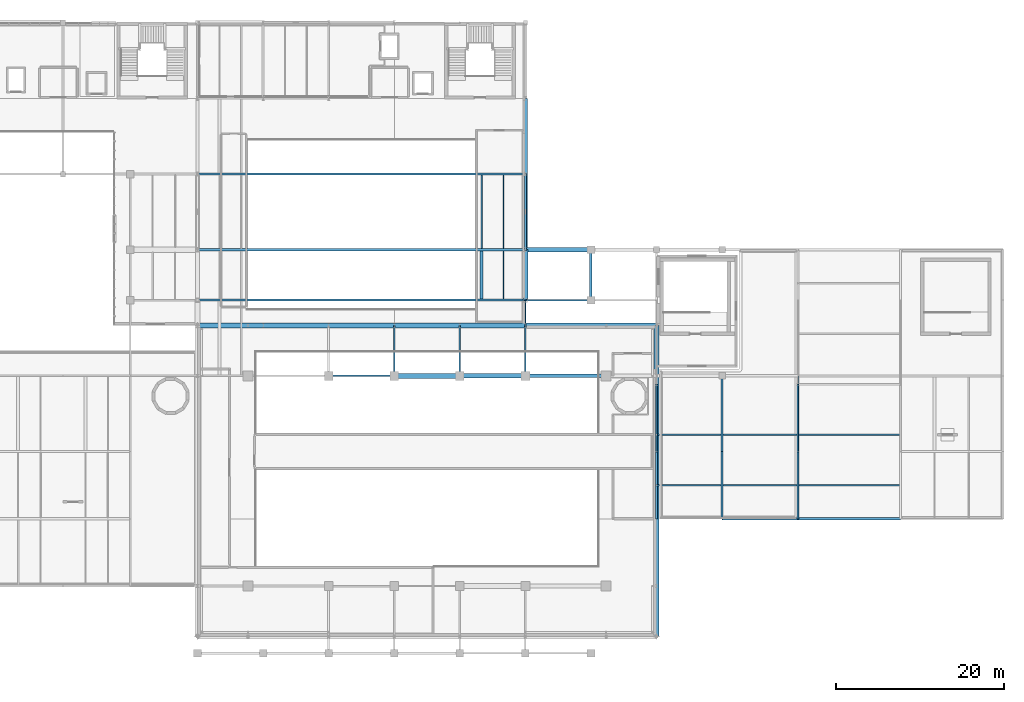
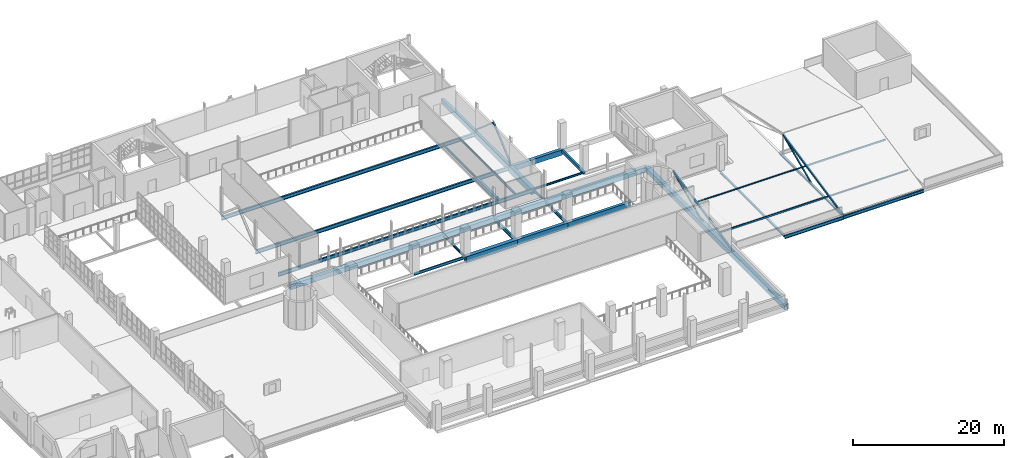
# One storey, part 35 of 85: 25 beams, 14 members.
"""IFC4 building model written with IfcOpenShell, lengths in metres."""

from ifc_helpers import new_model, si_unit, derived_unit, direction, frame, origin, origin_2d, place, context, subcontext, project, spatial, rectangle, hollow_rectangle, i_section, extrude, material, material_profile, profile_set, type_object, element, save


model = new_model("IFC4")

# Units and contexts
model_context = context("Model", 3, precision=1e-05, world=origin(), true_north=direction((0.0, 1.0)))
body_context = subcontext(model_context, "Body", "Model", "MODEL_VIEW")
ifc_project = project(units=[si_unit("LENGTHUNIT", "METRE"), si_unit("AREAUNIT", "SQUARE_METRE"), si_unit("VOLUMEUNIT", "CUBIC_METRE"), si_unit("PLANEANGLEUNIT", "RADIAN"), si_unit("MASSUNIT", "GRAM", prefix="KILO"), derived_unit("THERMALTRANSMITTANCEUNIT", [(si_unit("POWERUNIT", "WATT"), 1), (si_unit("LENGTHUNIT", "METRE"), -2), (si_unit("THERMODYNAMICTEMPERATUREUNIT", "KELVIN"), -1)])], contexts=[model_context])

# Site, building, storey
site_placement = place(None, origin())
site = spatial("IfcSite", under=ifc_project, at=site_placement, CompositionType="ELEMENT")
building_placement = place(site_placement, origin())
building = spatial("IfcBuilding", under=site, at=building_placement, Name="Nallur Shell Playhouse", CompositionType="ELEMENT")
storey_placement = place(building_placement, frame((0.0, 0.0, 19.800048828125)))
storey = spatial("IfcBuildingStorey", under=building, at=storey_placement, Name="L05", CompositionType="ELEMENT", Elevation=19.800048828125)

# Beams
ifc_material_1 = material(Name="Steel E250", Category="steel")
ifc_material_profile_1 = material_profile(ifc_material_1, i_section(OverallWidth=0.139892578125, OverallDepth=0.300048828125, WebThickness=0.0078125, FlangeThickness=0.01318359375, FilletRadius=0.013916015625, at=origin_2d()), Name="ISMB 300")
ifc_profile_set_1 = profile_set([ifc_material_profile_1], Name="Steel E250")
beam_type_1 = type_object("IfcBeamType", Name="BM-JST-ISMB300", PredefinedType="JOIST", material=ifc_profile_set_1)
beam_1_placement = place(storey_placement, frame((100.39990234375, 56.123046875, -0.400146484375), z_axis=(0.0, 1.0, 0.0), x_axis=(-1.0, 0.0, 0.0)))
element("IfcBeam", 1, at=beam_1_placement, inside=storey, type_object=beam_type_1, Name="L05 secondary joist 12-G-1113", PredefinedType="JOIST", context=body_context, shape_type="SweptSolid", body=[
    extrude(i_section(OverallWidth=0.139892578125, OverallDepth=0.300048828125, WebThickness=0.0078125, FlangeThickness=0.01318359375, FilletRadius=0.013916015625, at=origin_2d()), origin(), (0.0, 0.0, 1.0), 8.75390625),
])
ifc_material_profile_2 = material_profile(ifc_material_1, i_section(OverallWidth=0.139892578125, OverallDepth=0.35009765625, WebThickness=0.008056640625, FlangeThickness=0.01416015625, FilletRadius=0.013916015625, at=origin_2d()), Name="ISMB 350")
ifc_profile_set_2 = profile_set([ifc_material_profile_2], Name="Steel E250")
beam_type_2 = type_object("IfcBeamType", Name="BM-JST-ISMB350", PredefinedType="JOIST", material=ifc_profile_set_2)
beam_2_placement = place(storey_placement, frame((97.800048828125, 56.123046875, -0.425048828125), z_axis=(0.0, 1.0, 0.0), x_axis=(-1.0, 0.0, 0.0)))
element("IfcBeam", 2, at=beam_2_placement, inside=storey, type_object=beam_type_2, Name="L05 secondary joist 12-G-1112", PredefinedType="JOIST", context=body_context, shape_type="SweptSolid", body=[
    extrude(i_section(OverallWidth=0.139892578125, OverallDepth=0.35009765625, WebThickness=0.008056640625, FlangeThickness=0.01416015625, FilletRadius=0.013916015625, at=origin_2d()), origin(), (0.0, 0.0, 1.0), 8.75390625),
])
ifc_material_profile_3 = material_profile(ifc_material_1, i_section(OverallWidth=0.139892578125, OverallDepth=0.39990234375, WebThickness=0.0087890625, FlangeThickness=0.01611328125, FilletRadius=0.013916015625, at=origin_2d()), Name="ISMB 400")
ifc_profile_set_3 = profile_set([ifc_material_profile_3], Name="Steel E250")
beam_type_3 = type_object("IfcBeamType", Name="BM-JST-ISMB400", PredefinedType="JOIST", material=ifc_profile_set_3)
beam_3_placement = place(storey_placement, frame((100.39990234375, 50.123046875, -0.449951171875), z_axis=(0.0, 1.0, 0.0), x_axis=(-1.0, 0.0, 0.0)))
element("IfcBeam", 3, at=beam_3_placement, inside=storey, type_object=beam_type_3, Name="L05 secondary joist 12-F-1111", PredefinedType="JOIST", context=body_context, shape_type="SweptSolid", body=[
    extrude(i_section(OverallWidth=0.139892578125, OverallDepth=0.39990234375, WebThickness=0.0087890625, FlangeThickness=0.01611328125, FilletRadius=0.013916015625, at=origin_2d()), origin(), (0.0, 0.0, 1.0), 5.75390625),
])
ifc_material_2 = material(Name="Concrete M30", Category="concrete")
ifc_material_profile_4 = material_profile(ifc_material_2, rectangle(XDim=0.35009765625, YDim=0.60009765625, at=origin_2d()), Name="RC 350x600")
ifc_profile_set_4 = profile_set([ifc_material_profile_4], Name="Concrete M30")
beam_type_4 = type_object("IfcBeamType", Name="BM-RC-350x600", PredefinedType="JOIST", material=ifc_profile_set_4)
beam_4_placement = place(storey_placement, frame((97.800048828125, 50.123046875, -0.550048828125), z_axis=(0.0, 1.0, 0.0), x_axis=(-1.0, 0.0, 0.0)))
element("IfcBeam", 4, at=beam_4_placement, inside=storey, type_object=beam_type_4, Name="L05 secondary joist 12-F-1110", PredefinedType="JOIST", context=body_context, shape_type="SweptSolid", body=[
    extrude(rectangle(XDim=0.35009765625, YDim=0.60009765625, at=origin_2d()), origin(), (0.0, 0.0, 1.0), 5.75390625),
])
ifc_material_3 = material(Name="Concrete M35", Category="concrete")
ifc_material_profile_5 = material_profile(ifc_material_3, rectangle(XDim=0.449951171875, YDim=0.75, at=origin_2d()), Name="RC 450x750")
ifc_profile_set_5 = profile_set([ifc_material_profile_5], Name="Concrete M35")
beam_type_5 = type_object("IfcBeamType", Name="BM-RC-450x750", PredefinedType="BEAM", material=ifc_profile_set_5)
beam_5_placement = place(storey_placement, frame((103.0, 41.0, -0.625), z_axis=(1.0, 0.0, 0.0), x_axis=(0.0, 1.0, 0.0)))
element("IfcBeam", 5, at=beam_5_placement, inside=storey, type_object=beam_type_5, Name="L05 girder X-E-958", PredefinedType="BEAM", context=body_context, shape_type="SweptSolid", body=[
    extrude(rectangle(XDim=0.449951171875, YDim=0.75, at=origin_2d()), origin(), (0.0, 0.0, 1.0), 9.60009765625),
])
beam_6_placement = place(storey_placement, frame((103.0, 65.0, -0.625), z_axis=(0.0, 1.0, 0.0), x_axis=(-1.0, 0.0, 0.0)))
element("IfcBeam", 6, at=beam_6_placement, inside=storey, type_object=beam_type_5, Name="L05 girder Y-13-1038", PredefinedType="BEAM", context=body_context, shape_type="SweptSolid", body=[
    extrude(rectangle(XDim=0.449951171875, YDim=0.75, at=origin_2d()), origin(), (0.0, 0.0, 1.0), 9.0),
])
ifc_material_4 = material(Name="Concrete M40", Category="concrete")
ifc_material_profile_6 = material_profile(ifc_material_4, rectangle(XDim=0.5, YDim=0.85009765625, at=origin_2d()), Name="RC 500x850")
ifc_profile_set_6 = profile_set([ifc_material_profile_6], Name="Concrete M40")
beam_type_6 = type_object("IfcBeamType", Name="BM-RC-500x850", PredefinedType="BEAM", material=ifc_profile_set_6)
for number, where, z_axis, x_axis, name in (
    (7, (95.199951171875, 41.0, -0.675048828125), (1.0, 0.0, 0.0), (0.0, 1.0, 0.0), "L05 girder X-E-957"),
    (8, (103.0, 56.0, -0.675048828125), (1.0, 0.0, 0.0), (0.0, 1.0, 0.0), "L05 girder X-G-973"),
):
    element("IfcBeam", number, at=place(storey_placement, frame(where, z_axis=z_axis, x_axis=x_axis)), inside=storey, type_object=beam_type_6, Name=name, PredefinedType="BEAM", context=body_context, shape_type="SweptSolid", body=[
        extrude(rectangle(XDim=0.5, YDim=0.85009765625, at=origin_2d()), origin(), (0.0, 0.0, 1.0), 7.800048828125),
    ])
beam_7_placement = place(storey_placement, frame((103.0, 56.0, -0.675048828125), z_axis=(0.0, 1.0, 0.0), x_axis=(-1.0, 0.0, 0.0)))
element("IfcBeam", 9, at=beam_7_placement, inside=storey, type_object=beam_type_6, Name="L05 girder Y-13-1037", PredefinedType="BEAM", context=body_context, shape_type="SweptSolid", body=[
    extrude(rectangle(XDim=0.5, YDim=0.85009765625, at=origin_2d()), origin(), (0.0, 0.0, 1.0), 9.0),
])
ifc_material_profile_7 = material_profile(ifc_material_4, rectangle(XDim=0.60009765625, YDim=1.0, at=origin_2d()), Name="RC 600x1000")
ifc_profile_set_7 = profile_set([ifc_material_profile_7], Name="Concrete M40")
beam_type_7 = type_object("IfcBeamType", Name="BM-RC-600x1000", PredefinedType="BEAM", material=ifc_profile_set_7)
beam_8_placement = place(storey_placement, frame((87.39990234375, 41.0, -0.75), z_axis=(1.0, 0.0, 0.0), x_axis=(0.0, 1.0, 0.0)))
element("IfcBeam", 10, at=beam_8_placement, inside=storey, type_object=beam_type_7, Name="L05 girder X-E-956", PredefinedType="BEAM", context=body_context, shape_type="SweptSolid", body=[
    extrude(rectangle(XDim=0.60009765625, YDim=1.0, at=origin_2d()), origin(), (0.0, 0.0, 1.0), 7.800048828125),
])
beam_9_placement = place(storey_placement, frame((103.0, 50.0, -0.75), z_axis=(0.0, 1.0, 0.0), x_axis=(-1.0, 0.0, 0.0)))
element("IfcBeam", 11, at=beam_9_placement, inside=storey, type_object=beam_type_7, Name="L05 girder Y-13-1036", PredefinedType="BEAM", context=body_context, shape_type="SweptSolid", body=[
    extrude(rectangle(XDim=0.60009765625, YDim=1.0, at=origin_2d()), origin(), (0.0, 0.0, 1.0), 6.0),
])
ifc_material_profile_8 = material_profile(ifc_material_3, rectangle(XDim=0.300048828125, YDim=0.449951171875, at=origin_2d()), Name="RC 300x450")
ifc_profile_set_8 = profile_set([ifc_material_profile_8], Name="Concrete M35")
beam_type_8 = type_object("IfcBeamType", Name="BM-SPN-300x450", PredefinedType="SPANDREL", material=ifc_profile_set_8)
beam_10_placement = place(storey_placement, frame((110.800048828125, 50.0, -0.47509765625), z_axis=(0.0, 1.0, 0.0), x_axis=(-1.0, 0.0, 0.0)))
element("IfcBeam", 12, at=beam_10_placement, inside=storey, type_object=beam_type_8, Name="L05 girder Y-14-1040", PredefinedType="SPANDREL", context=body_context, shape_type="SweptSolid", body=[
    extrude(rectangle(XDim=0.300048828125, YDim=0.449951171875, at=origin_2d()), origin(), (0.0, 0.0, 1.0), 6.0),
])
ifc_material_5 = material(Name="Steel E350", Category="steel")
ifc_material_profile_9 = material_profile(ifc_material_5, i_section(OverallWidth=0.14990234375, OverallDepth=0.449951171875, WebThickness=0.009521484375, FlangeThickness=0.017333984375, FilletRadius=0.014892578125, at=origin_2d()), Name="ISMB 450")
ifc_profile_set_9 = profile_set([ifc_material_profile_9], Name="Steel E350")
beam_type_9 = type_object("IfcBeamType", Name="BM-ST-ISMB450", PredefinedType="BEAM", material=ifc_profile_set_9)
beam_11_placement = place(storey_placement, frame((79.60009765625, 41.0, -0.47509765625), z_axis=(1.0, 0.0, 0.0), x_axis=(0.0, 1.0, 0.0)))
element("IfcBeam", 13, at=beam_11_placement, inside=storey, type_object=beam_type_9, Name="L05 girder X-E-955", PredefinedType="BEAM", context=body_context, shape_type="SweptSolid", body=[
    extrude(i_section(OverallWidth=0.14990234375, OverallDepth=0.449951171875, WebThickness=0.009521484375, FlangeThickness=0.017333984375, FilletRadius=0.014892578125, at=origin_2d()), origin(), (0.0, 0.0, 1.0), 7.7998046875),
])
beam_12_placement = place(storey_placement, frame((103.0, 47.0, -0.47509765625), z_axis=(0.0, 1.0, 0.0), x_axis=(-1.0, 0.0, 0.0)))
element("IfcBeam", 14, at=beam_12_placement, inside=storey, type_object=beam_type_9, Name="L05 girder Y-13-1035", PredefinedType="BEAM", context=body_context, shape_type="SweptSolid", body=[
    extrude(i_section(OverallWidth=0.14990234375, OverallDepth=0.449951171875, WebThickness=0.009521484375, FlangeThickness=0.017333984375, FilletRadius=0.014892578125, at=origin_2d()), origin(), (0.0, 0.0, 1.0), 3.0),
])
ifc_material_profile_10 = material_profile(ifc_material_5, i_section(OverallWidth=0.179931640625, OverallDepth=0.5, WebThickness=0.01025390625, FlangeThickness=0.01708984375, FilletRadius=0.01708984375, at=origin_2d()), Name="ISMB 500")
ifc_profile_set_10 = profile_set([ifc_material_profile_10], Name="Steel E350")
beam_type_10 = type_object("IfcBeamType", Name="BM-ST-ISMB500", PredefinedType="BEAM", material=ifc_profile_set_10)
beam_13_placement = place(storey_placement, frame((103.0, 41.0, -0.5), z_axis=(0.0, 1.0, 0.0), x_axis=(-1.0, 0.0, 0.0)))
element("IfcBeam", 15, at=beam_13_placement, inside=storey, type_object=beam_type_10, Name="L05 girder Y-13-1034", PredefinedType="BEAM", context=body_context, shape_type="SweptSolid", body=[
    extrude(i_section(OverallWidth=0.179931640625, OverallDepth=0.5, WebThickness=0.01025390625, FlangeThickness=0.01708984375, FilletRadius=0.01708984375, at=origin_2d()), origin(), (0.0, 0.0, 1.0), 6.0),
])
ifc_material_profile_11 = material_profile(ifc_material_5, i_section(OverallWidth=0.2099609375, OverallDepth=0.60009765625, WebThickness=0.011962890625, FlangeThickness=0.020751953125, FilletRadius=0.02001953125, at=origin_2d()), Name="ISMB 600")
ifc_profile_set_11 = profile_set([ifc_material_profile_11], Name="Steel E350")
beam_type_11 = type_object("IfcBeamType", Name="BM-ST-ISMB600", PredefinedType="BEAM", material=ifc_profile_set_11)
beam_14_placement = place(storey_placement, frame((95.199951171875, 41.0, -0.550048828125), z_axis=(0.0, 1.0, 0.0), x_axis=(-1.0, 0.0, 0.0)))
element("IfcBeam", 16, at=beam_14_placement, inside=storey, type_object=beam_type_11, Name="L05 girder Y-12-1032", PredefinedType="BEAM", context=body_context, shape_type="SweptSolid", body=[
    extrude(i_section(OverallWidth=0.2099609375, OverallDepth=0.60009765625, WebThickness=0.011962890625, FlangeThickness=0.020751953125, FilletRadius=0.02001953125, at=origin_2d()), origin(), (0.0, 0.0, 1.0), 6.0),
])
ifc_material_profile_12 = material_profile(ifc_material_1, i_section(OverallWidth=0.199951171875, OverallDepth=0.300048828125, WebThickness=0.00732421875, FlangeThickness=0.010009765625, FilletRadius=0.010986328125, at=origin_2d()), Name="ISWB 300")
ifc_profile_set_12 = profile_set([ifc_material_profile_12], Name="Steel E250")
beam_type_12 = type_object("IfcBeamType", Name="BM-ST-ISWB300", PredefinedType="BEAM", material=ifc_profile_set_12)
beam_15_placement = place(storey_placement, frame((103.0, 50.0, -0.400146484375), z_axis=(1.0, 0.0, 0.0), x_axis=(0.0, 1.0, 0.0)))
element("IfcBeam", 17, at=beam_15_placement, inside=storey, type_object=beam_type_12, Name="L05 girder X-F-967", PredefinedType="BEAM", context=body_context, shape_type="SweptSolid", body=[
    extrude(i_section(OverallWidth=0.199951171875, OverallDepth=0.300048828125, WebThickness=0.00732421875, FlangeThickness=0.010009765625, FilletRadius=0.010986328125, at=origin_2d()), origin(), (0.0, 0.0, 1.0), 7.800048828125),
])
ifc_material_profile_13 = material_profile(ifc_material_5, i_section(OverallWidth=0.199951171875, OverallDepth=0.35009765625, WebThickness=0.008056640625, FlangeThickness=0.011474609375, FilletRadius=0.011962890625, at=origin_2d()), Name="ISWB 350")
ifc_profile_set_13 = profile_set([ifc_material_profile_13], Name="Steel E350")
beam_type_13 = type_object("IfcBeamType", Name="BM-ST-ISWB350", PredefinedType="BEAM", material=ifc_profile_set_13)
beam_16_placement = place(storey_placement, frame((87.39990234375, 41.0, -0.425048828125), z_axis=(0.0, 1.0, 0.0), x_axis=(-1.0, 0.0, 0.0)))
element("IfcBeam", 18, at=beam_16_placement, inside=storey, type_object=beam_type_13, Name="L05 girder Y-11-1030", PredefinedType="BEAM", context=body_context, shape_type="SweptSolid", body=[
    extrude(i_section(OverallWidth=0.199951171875, OverallDepth=0.35009765625, WebThickness=0.008056640625, FlangeThickness=0.011474609375, FilletRadius=0.011962890625, at=origin_2d()), origin(), (0.0, 0.0, 1.0), 6.0),
])
ifc_material_profile_14 = material_profile(ifc_material_5, i_section(OverallWidth=0.25, OverallDepth=0.5, WebThickness=0.010009765625, FlangeThickness=0.0146484375, FilletRadius=0.014892578125, at=origin_2d()), Name="ISWB 500")
ifc_profile_set_14 = profile_set([ifc_material_profile_14], Name="Steel E350")
beam_type_14 = type_object("IfcBeamType", Name="BM-ST-ISWB500", PredefinedType="BEAM", material=ifc_profile_set_14)
beam_17_placement = place(storey_placement, frame((135.39990234375, 24.0, -0.510009765625), z_axis=(1.0, 0.0, 0.0), x_axis=(0.0, 1.0, 0.0)))
element("IfcBeam", 19, at=beam_17_placement, inside=storey, type_object=beam_type_14, Name="L05 girder X-C-947", PredefinedType="BEAM", context=body_context, shape_type="SweptSolid", body=[
    extrude(i_section(OverallWidth=0.25, OverallDepth=0.5, WebThickness=0.010009765625, FlangeThickness=0.0146484375, FilletRadius=0.014892578125, at=origin_2d()), origin(), (0.0, 0.0, 1.0), 12.2001953125),
])
ifc_material_profile_15 = material_profile(ifc_material_5, i_section(OverallWidth=0.25, OverallDepth=0.550048828125, WebThickness=0.010498046875, FlangeThickness=0.017578125, FilletRadius=0.01611328125, at=origin_2d()), Name="ISWB 550")
ifc_profile_set_15 = profile_set([ifc_material_profile_15], Name="Steel E350")
beam_type_15 = type_object("IfcBeamType", Name="BM-ST-ISWB550", PredefinedType="BEAM", material=ifc_profile_set_15)
beam_18_placement = place(storey_placement, frame((126.39990234375, 24.0, -0.53515625), z_axis=(1.0, 0.0, 0.0), x_axis=(0.0, 1.0, 0.0)))
element("IfcBeam", 20, at=beam_18_placement, inside=storey, type_object=beam_type_15, Name="L05 girder X-C-946", PredefinedType="BEAM", context=body_context, shape_type="SweptSolid", body=[
    extrude(i_section(OverallWidth=0.25, OverallDepth=0.550048828125, WebThickness=0.010498046875, FlangeThickness=0.017578125, FilletRadius=0.01611328125, at=origin_2d()), origin(), (0.0, 0.0, 1.0), 9.0),
])
ifc_material_profile_16 = material_profile(ifc_material_5, i_section(OverallWidth=0.25, OverallDepth=0.60009765625, WebThickness=0.01171875, FlangeThickness=0.023681640625, FilletRadius=0.01708984375, at=origin_2d()), Name="ISWB 600")
ifc_profile_set_16 = profile_set([ifc_material_profile_16], Name="Steel E350")
beam_type_16 = type_object("IfcBeamType", Name="BM-ST-ISWB600", PredefinedType="BEAM", material=ifc_profile_set_16)
for number, where, z_axis, x_axis, name in (
    (21, (64.0, 50.0, -0.550048828125), (1.0, 0.0, 0.0), (0.0, 1.0, 0.0), "L05 long-span hall girder Y=50.0-1047"),
    (22, (64.0, 56.0, -0.550048828125), (1.0, 0.0, 0.0), (0.0, 1.0, 0.0), "L05 long-span hall girder Y=56.0-1048"),
    (23, (64.0, 65.0, -0.550048828125), (1.0, 0.0, 0.0), (0.0, 1.0, 0.0), "L05 long-span hall girder Y=65.0-1049"),
):
    element("IfcBeam", number, at=place(storey_placement, frame(where, z_axis=z_axis, x_axis=x_axis)), inside=storey, type_object=beam_type_16, Name=name, PredefinedType="BEAM", context=body_context, shape_type="SweptSolid", body=[
        extrude(i_section(OverallWidth=0.25, OverallDepth=0.60009765625, WebThickness=0.01171875, FlangeThickness=0.023681640625, FilletRadius=0.01708984375, at=origin_2d()), origin(), (0.0, 0.0, 1.0), 39.0),
    ])
ifc_material_profile_17 = material_profile(ifc_material_5, hollow_rectangle(XDim=0.60009765625, YDim=0.800048828125, WallThickness=0.02490234375, at=origin_2d()), Name="BOX 600x800x25")
ifc_profile_set_17 = profile_set([ifc_material_profile_17], Name="Steel E350")
beam_type_17 = type_object("IfcBeamType", Name="BM-TT-CHORD", PredefinedType="BEAM", material=ifc_profile_set_17)
beam_19_placement = place(storey_placement, frame((64.0, 47.0, -0.650146484375), z_axis=(1.0, 0.0, 0.0), x_axis=(0.0, 1.0, 0.0)))
element("IfcBeam", 24, at=beam_19_placement, inside=storey, type_object=beam_type_17, Name="Gold box perimeter chord L05-N1", PredefinedType="BEAM", context=body_context, shape_type="SweptSolid", body=[
    extrude(hollow_rectangle(XDim=0.60009765625, YDim=0.800048828125, WallThickness=0.02490234375, at=origin_2d()), origin(), (0.0, 0.0, 1.0), 54.60009765625),
])
beam_20_placement = place(storey_placement, frame((118.60009765625, 10.0, -0.650146484375), z_axis=(0.0, 1.0, 0.0), x_axis=(-1.0, 0.0, 0.0)))
element("IfcBeam", 25, at=beam_20_placement, inside=storey, type_object=beam_type_17, Name="Gold box perimeter chord L05-E1", PredefinedType="BEAM", context=body_context, shape_type="SweptSolid", body=[
    extrude(hollow_rectangle(XDim=0.60009765625, YDim=0.800048828125, WallThickness=0.02490234375, at=origin_2d()), origin(), (0.0, 0.0, 1.0), 37.0),
])

# Members
ifc_material_profile_18 = material_profile(ifc_material_5, hollow_rectangle(XDim=0.219970703125, YDim=0.219970703125, WallThickness=0.011962890625, at=origin_2d()), Name="SHS 220x220x12")
ifc_profile_set_18 = profile_set([ifc_material_profile_18], Name="Steel E350")
member_type_1 = type_object("IfcMemberType", Name="MB-FT-BRACE2", PredefinedType="BRACE", material=ifc_profile_set_18)
for number, where, z_axis, x_axis, name in (
    (26, (103.0, 56.0, 0.14990234375), (0.0, 0.759844100981, 0.650105331623), (-1.0, 0.0, 0.0), "Stage fly tower concentric brace BR-FT-L05-035"),
    (27, (103.0, 65.0, 0.14990234375), (0.0, -0.759844100981, 0.650105331623), (1.0, 0.0, 0.0), "Stage fly tower concentric brace BR-FT-L05-036"),
):
    element("IfcMember", number, at=place(storey_placement, frame(where, z_axis=z_axis, x_axis=x_axis)), inside=storey, type_object=member_type_1, Name=name, PredefinedType="BRACE", context=body_context, shape_type="SweptSolid", body=[
        extrude(hollow_rectangle(XDim=0.219970703125, YDim=0.219970703125, WallThickness=0.011962890625, at=origin_2d()), origin(), (0.0, 0.0, 1.0), 5.92236328125),
    ])
ifc_material_profile_19 = material_profile(ifc_material_1, i_section(OverallWidth=0.199951171875, OverallDepth=0.199951171875, WebThickness=0.0078125, FlangeThickness=0.009033203125, FilletRadius=0.009033203125, at=origin_2d()), Name="ISHB 200")
ifc_profile_set_19 = profile_set([ifc_material_profile_19], Name="Steel E250")
member_type_2 = type_object("IfcMemberType", Name="MB-PUR-ISHB200", PredefinedType="PURLIN", material=ifc_profile_set_19)
member_1_placement = place(storey_placement, frame((135.39990234375, 28.0, 0.43017578125), z_axis=(1.0, 0.0, 0.0), x_axis=(0.0, 1.0, 0.0)))
element("IfcMember", 28, at=member_1_placement, inside=storey, type_object=member_type_2, Name="Studio roof purlin PUR-ST-02", PredefinedType="PURLIN", context=body_context, shape_type="SweptSolid", body=[
    extrude(i_section(OverallWidth=0.199951171875, OverallDepth=0.199951171875, WebThickness=0.0078125, FlangeThickness=0.009033203125, FilletRadius=0.009033203125, at=origin_2d()), origin(), (0.0, 0.0, 1.0), 12.2001953125),
])
ifc_material_profile_20 = material_profile(ifc_material_1, hollow_rectangle(XDim=0.14990234375, YDim=0.25, WallThickness=0.010009765625, at=origin_2d()), Name="RHS 250x150x10")
ifc_profile_set_20 = profile_set([ifc_material_profile_20], Name="Steel E250")
member_type_3 = type_object("IfcMemberType", Name="MB-PUR-RHS250", PredefinedType="PURLIN", material=ifc_profile_set_20)
member_2_placement = place(storey_placement, frame((118.60009765625, 28.0, 0.43017578125), z_axis=(1.0, 0.0, 0.0), x_axis=(0.0, 1.0, 0.0)))
element("IfcMember", 29, at=member_2_placement, inside=storey, type_object=member_type_3, Name="Studio roof purlin PUR-ST-01", PredefinedType="PURLIN", context=body_context, shape_type="SweptSolid", body=[
    extrude(hollow_rectangle(XDim=0.14990234375, YDim=0.25, WallThickness=0.010009765625, at=origin_2d()), origin(), (0.0, 0.0, 1.0), 16.7998046875),
])
member_3_placement = place(storey_placement, frame((135.39990234375, 34.0, 1.70556640625), z_axis=(1.0, 0.0, 0.0), x_axis=(0.0, 1.0, 0.0)))
element("IfcMember", 30, at=member_3_placement, inside=storey, type_object=member_type_3, Name="Studio roof purlin PUR-ST-04", PredefinedType="PURLIN", context=body_context, shape_type="SweptSolid", body=[
    extrude(hollow_rectangle(XDim=0.14990234375, YDim=0.25, WallThickness=0.010009765625, at=origin_2d()), origin(), (0.0, 0.0, 1.0), 12.2001953125),
])
ifc_material_profile_21 = material_profile(ifc_material_1, hollow_rectangle(XDim=0.14990234375, YDim=0.14990234375, WallThickness=0.008056640625, at=origin_2d()), Name="SHS 150x150x8")
ifc_profile_set_21 = profile_set([ifc_material_profile_21], Name="Steel E250")
member_type_4 = type_object("IfcMemberType", Name="MB-PUR-SHS150", PredefinedType="PURLIN", material=ifc_profile_set_21)
member_4_placement = place(storey_placement, frame((118.60009765625, 34.0, 1.70556640625), z_axis=(1.0, 0.0, 0.0), x_axis=(0.0, 1.0, 0.0)))
element("IfcMember", 31, at=member_4_placement, inside=storey, type_object=member_type_4, Name="Studio roof purlin PUR-ST-03", PredefinedType="PURLIN", context=body_context, shape_type="SweptSolid", body=[
    extrude(hollow_rectangle(XDim=0.14990234375, YDim=0.14990234375, WallThickness=0.008056640625, at=origin_2d()), origin(), (0.0, 0.0, 1.0), 16.7998046875),
])
ifc_material_profile_22 = material_profile(ifc_material_5, hollow_rectangle(XDim=0.199951171875, YDim=0.300048828125, WallThickness=0.011962890625, at=origin_2d()), Name="RHS 300x200x12")
ifc_profile_set_22 = profile_set([ifc_material_profile_22], Name="Steel E350")
member_type_5 = type_object("IfcMemberType", Name="MB-TR-CHORD1", PredefinedType="CHORD", material=ifc_profile_set_22)
for number, where, z_axis, x_axis, name in (
    (32, (118.60009765625, 24.0, -0.199951171875), (0.0, 0.979376403383, 0.202044204311), (-1.0, 0.0, 0.0), "ROOF TRUSS Studio south top chord X=118.6"),
    (33, (135.39990234375, 24.0, -0.199951171875), (0.0, 0.979376403383, 0.202044204311), (-1.0, 0.0, 0.0), "ROOF TRUSS Studio south top chord X=135.4"),
):
    element("IfcMember", number, at=place(storey_placement, frame(where, z_axis=z_axis, x_axis=x_axis)), inside=storey, type_object=member_type_5, Name=name, PredefinedType="CHORD", context=body_context, shape_type="SweptSolid", body=[
        extrude(hollow_rectangle(XDim=0.199951171875, YDim=0.300048828125, WallThickness=0.011962890625, at=origin_2d()), origin(), (0.0, 0.0, 1.0), 16.3369140625),
    ])
ifc_material_profile_23 = material_profile(ifc_material_5, i_section(OverallWidth=0.25, OverallDepth=0.25, WebThickness=0.0087890625, FlangeThickness=0.009765625, FilletRadius=0.010009765625, at=origin_2d()), Name="ISHB 250")
ifc_profile_set_23 = profile_set([ifc_material_profile_23], Name="Steel E350")
member_type_6 = type_object("IfcMemberType", Name="MB-TR-CHORD2", PredefinedType="CHORD", material=ifc_profile_set_23)
member_5_placement = place(storey_placement, frame((126.39990234375, 24.0, -0.380126953125), z_axis=(0.0, 1.0, 0.0), x_axis=(-1.0, 0.0, 0.0)))
element("IfcMember", 34, at=member_5_placement, inside=storey, type_object=member_type_6, Name="ROOF TRUSS Studio bottom chord X=126.4 (24.0-32.0)", PredefinedType="CHORD", context=body_context, shape_type="SweptSolid", body=[
    extrude(i_section(OverallWidth=0.25, OverallDepth=0.25, WebThickness=0.0087890625, FlangeThickness=0.009765625, FilletRadius=0.010009765625, at=origin_2d()), origin(), (0.0, 0.0, 1.0), 8.0),
])
member_6_placement = place(storey_placement, frame((126.39990234375, 32.0, -0.380126953125), z_axis=(0.0, 1.0, 0.0), x_axis=(-1.0, 0.0, 0.0)))
element("IfcMember", 35, at=member_6_placement, inside=storey, type_object=member_type_6, Name="ROOF TRUSS Studio bottom chord X=126.4 (32.0-41.0)", PredefinedType="CHORD", context=body_context, shape_type="SweptSolid", body=[
    extrude(i_section(OverallWidth=0.25, OverallDepth=0.25, WebThickness=0.0087890625, FlangeThickness=0.009765625, FilletRadius=0.010009765625, at=origin_2d()), origin(), (0.0, 0.0, 1.0), 9.0),
])
member_7_placement = place(storey_placement, frame((135.39990234375, 24.0, -0.380126953125), z_axis=(0.0, 1.0, 0.0), x_axis=(-1.0, 0.0, 0.0)))
element("IfcMember", 36, at=member_7_placement, inside=storey, type_object=member_type_6, Name="ROOF TRUSS Studio bottom chord X=135.4 (24.0-32.0)", PredefinedType="CHORD", context=body_context, shape_type="SweptSolid", body=[
    extrude(i_section(OverallWidth=0.25, OverallDepth=0.25, WebThickness=0.0087890625, FlangeThickness=0.009765625, FilletRadius=0.010009765625, at=origin_2d()), origin(), (0.0, 0.0, 1.0), 8.0),
])
member_8_placement = place(storey_placement, frame((135.39990234375, 32.0, -0.380126953125), z_axis=(0.0, 1.0, 0.0), x_axis=(-1.0, 0.0, 0.0)))
element("IfcMember", 37, at=member_8_placement, inside=storey, type_object=member_type_6, Name="ROOF TRUSS Studio bottom chord X=135.4 (32.0-41.0)", PredefinedType="CHORD", context=body_context, shape_type="SweptSolid", body=[
    extrude(i_section(OverallWidth=0.25, OverallDepth=0.25, WebThickness=0.0087890625, FlangeThickness=0.009765625, FilletRadius=0.010009765625, at=origin_2d()), origin(), (0.0, 0.0, 1.0), 9.0),
])
ifc_material_profile_24 = material_profile(ifc_material_5, hollow_rectangle(XDim=0.179931640625, YDim=0.179931640625, WallThickness=0.010009765625, at=origin_2d()), Name="SHS 180x180x10")
ifc_profile_set_24 = profile_set([ifc_material_profile_24], Name="Steel E350")
member_type_7 = type_object("IfcMemberType", Name="MB-TR-WEB1", PredefinedType="BRACE", material=ifc_profile_set_24)
for number, where, z_axis, x_axis, name in (
    (38, (118.60009765625, 32.0, -0.380126953125), (0.0, 0.916957018469, 0.398985997599), (-1.0, 0.0, 0.0), "ROOF TRUSS Studio web diagonal 118.6.1"),
    (39, (135.39990234375, 32.0, -0.380126953125), (0.0, 0.916957018469, 0.398985997599), (-1.0, 0.0, 0.0), "ROOF TRUSS Studio web diagonal 135.4.1"),
):
    element("IfcMember", number, at=place(storey_placement, frame(where, z_axis=z_axis, x_axis=x_axis)), inside=storey, type_object=member_type_7, Name=name, PredefinedType="BRACE", context=body_context, shape_type="SweptSolid", body=[
        extrude(hollow_rectangle(XDim=0.179931640625, YDim=0.179931640625, WallThickness=0.010009765625, at=origin_2d()), origin(), (0.0, 0.0, 1.0), 8.724609375),
    ])

save(model, "model.ifc")
